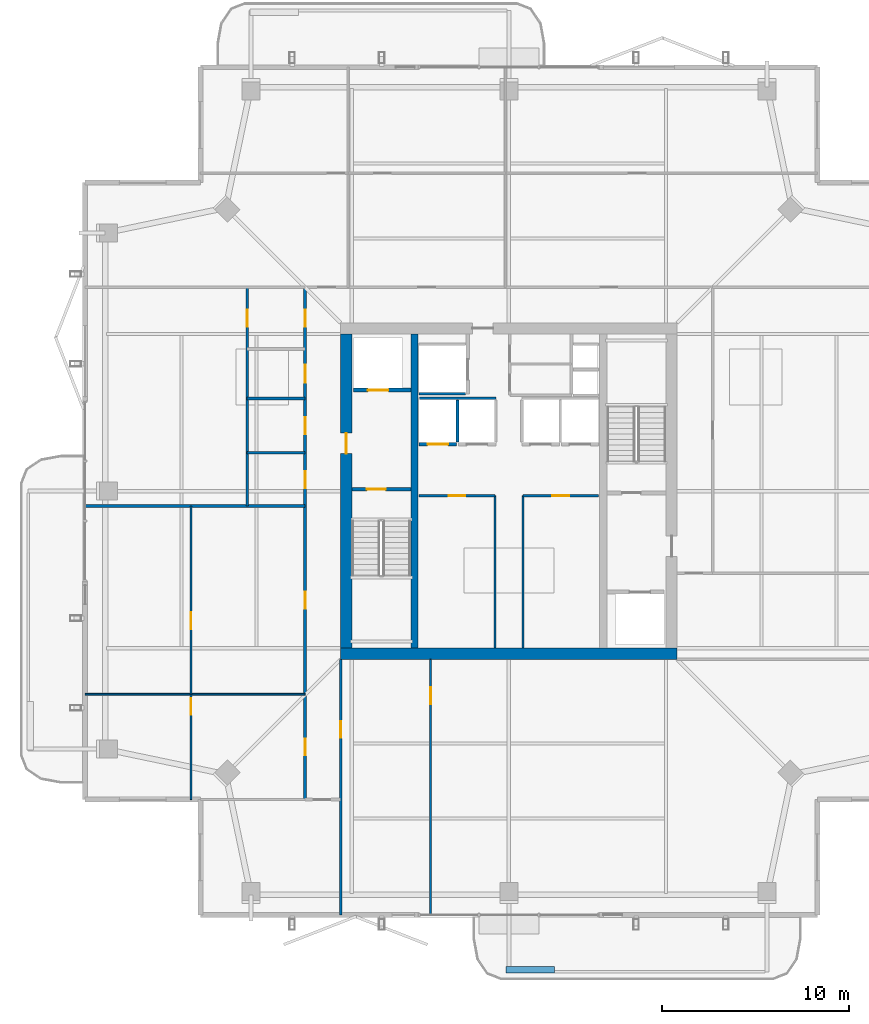
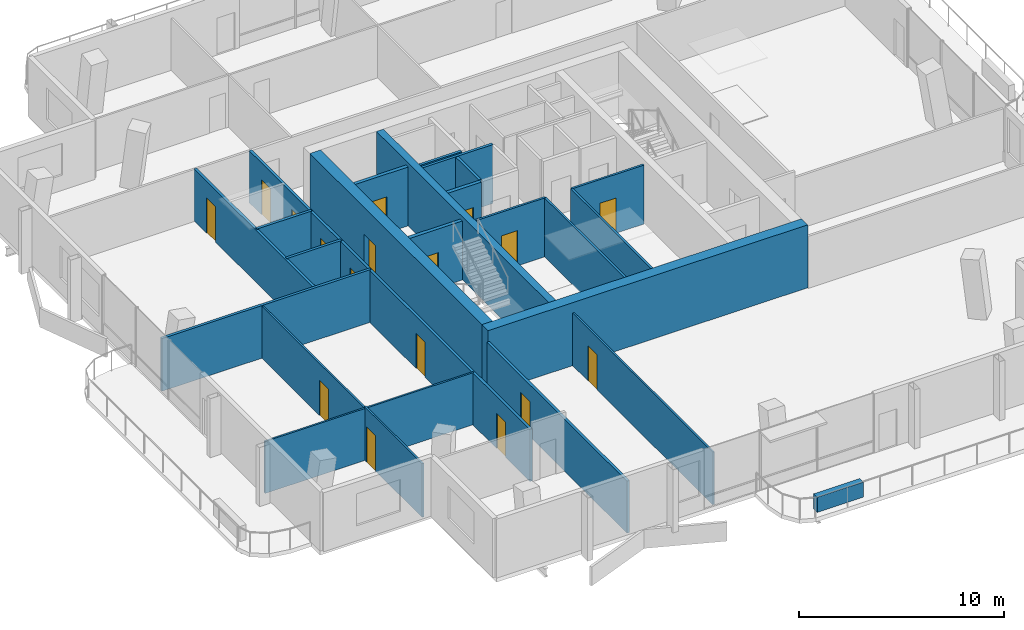
# One storey, part 14 of 20: 24 walls, 17 doors, 17 openings.
"""IFC4 building model written with IfcOpenShell, lengths in metres."""

from ifc_helpers import new_model, si_unit, direction, frame, frame_2d, origin, place, context, subcontext, project, spatial, rectangle, extrude, material, layer, layer_set, type_object, element, fill, save


model = new_model("IFC4")

# Units and contexts
model_context = context("Model", 3, precision=1e-05, world=origin(), true_north=direction((0.0, 1.0)))
body_context = subcontext(model_context, "Body", "Model", "MODEL_VIEW")
ifc_project = project(units=[si_unit("LENGTHUNIT", "METRE"), si_unit("AREAUNIT", "SQUARE_METRE"), si_unit("VOLUMEUNIT", "CUBIC_METRE"), si_unit("PLANEANGLEUNIT", "RADIAN"), si_unit("MASSUNIT", "GRAM", prefix="KILO")], contexts=[model_context])

# Site, building, storey
site_placement = place(None, origin())
site = spatial("IfcSite", under=ifc_project, at=site_placement, CompositionType="ELEMENT")
building_placement = place(site_placement, origin())
building = spatial("IfcBuilding", under=site, at=building_placement, Name="Belovzor Exchange Tower", CompositionType="ELEMENT")
storey_placement = place(building_placement, frame((0.0, 0.0, 329.25)))
storey = spatial("IfcBuildingStorey", under=building, at=storey_placement, Name="L82", CompositionType="ELEMENT", Elevation=329.25)

# Wall, opening, door
ifc_material_1 = material(Name="Acoustic Laminated Glass and Aluminium", Category="aluminium")
ifc_layer_1 = layer(ifc_material_1, 0.10009765625)
ifc_layer_set_1 = layer_set([ifc_layer_1], Name="Acoustic Laminated Glass and Aluminium")
wall_type_1 = type_object("IfcWallType", Name="Demountable Executive Glass Partition 100", PredefinedType="MOVABLE", material=ifc_layer_set_1)
wall_1_placement = place(storey_placement, frame((11.797119140625, 12.300048828125, 0.0), z_axis=(0.0, 0.0, 1.0), x_axis=(0.0, 1.0, 0.0)))
wall_1 = element("IfcWall", 1, at=wall_1_placement, inside=storey, type_object=wall_type_1, Name="W-M100 Partition Wall W-L82-WHDIV-0", PredefinedType="MOVABLE", context=body_context, shape_type="SweptSolid", body=[
    extrude(rectangle(XDim=5.6298828125, YDim=0.10009765625, at=frame_2d((2.81494140625, 0.0))), origin(), (0.0, 0.0, 1.0), 3.195068359375),
])
opening_1_placement = place(wall_1_placement, frame((4.530029296875, 0.0, 0.0)))
opening_1 = element("IfcOpeningElement", 2, at=opening_1_placement, cuts=wall_1, Name="Opening D-INT-090", PredefinedType="OPENING", context=body_context, shape_type="SweptSolid", body=[
    extrude(rectangle(XDim=0.89990234375, YDim=2.10009765625, at=frame_2d((0.449951171875, 1.050048828125))), frame((0.0, 0.06005859375, 0.0), z_axis=(0.0, -1.0, 0.0), x_axis=(1.0, 0.0, 0.0)), (0.0, 0.0, 1.0), 0.1201171875),
])
ifc_material_2 = material(Name="Veneered Hardwood Acoustic Leaf", Category="wood")
door_type_1 = type_object("IfcDoorType", Name="Trading Suite Acoustic Single Door 900x2100", OperationType="NOTDEFINED", PredefinedType="DOOR", material=ifc_material_2)
door_1_placement = place(opening_1_placement, origin())
door_1 = element("IfcDoor", 3, at=door_1_placement, inside=storey, type_object=door_type_1, Name="D-INT-090 Trading Suite Acoustic Single Door 900x2100", OperationType="SINGLE_SWING_LEFT", OverallHeight=2.10009765625, OverallWidth=0.89990234375, PredefinedType="DOOR", context=body_context, shape_type="SweptSolid", body=[
    extrude(rectangle(XDim=0.89990234375, YDim=2.10009765625, at=frame_2d((0.449951171875, 1.050048828125))), frame((0.0, 0.02490234375, 0.0), z_axis=(0.0, -1.0, 0.0), x_axis=(1.0, 0.0, 0.0)), (0.0, 0.0, 1.0), 0.050048828125),
])
fill(opening_1, door_1)

# Wall
wall_2_placement = place(storey_placement, frame((6.1298828125, 17.929931640625, 0.0), z_axis=(0.0, 0.0, 1.0), x_axis=(1.0, 0.0, 0.0)))
element("IfcWall", 4, at=wall_2_placement, inside=storey, type_object=wall_type_1, Name="W-M100 Partition Wall W-L82-WDIV-1", PredefinedType="MOVABLE", context=body_context, shape_type="SweptSolid", body=[
    extrude(rectangle(XDim=11.77001953125, YDim=0.10009765625, at=frame_2d((5.885009765625, 0.0))), origin(), (0.0, 0.0, 1.0), 3.094970703125),
])

# Wall, opening, door
wall_3_placement = place(storey_placement, frame((11.797119140625, 17.929931640625, 0.0), z_axis=(0.0, 0.0, 1.0), x_axis=(0.0, 1.0, 0.0)))
wall_3 = element("IfcWall", 5, at=wall_3_placement, inside=storey, type_object=wall_type_1, Name="W-M100 Partition Wall W-L82-WHDIV-1", PredefinedType="MOVABLE", context=body_context, shape_type="SweptSolid", body=[
    extrude(rectangle(XDim=10.070068359375, YDim=0.10009765625, at=frame_2d((5.03515625, 0.0))), origin(), (0.0, 0.0, 1.0), 3.094970703125),
])
opening_2_placement = place(wall_3_placement, frame((3.489013671875, 0.0, 0.0)))
opening_2 = element("IfcOpeningElement", 6, at=opening_2_placement, cuts=wall_3, Name="Opening D-INT-090", PredefinedType="OPENING", context=body_context, shape_type="SweptSolid", body=[
    extrude(rectangle(XDim=0.89990234375, YDim=2.10009765625, at=frame_2d((0.449951171875, 1.050048828125))), frame((0.0, 0.06005859375, 0.0), z_axis=(0.0, -1.0, 0.0), x_axis=(1.0, 0.0, 0.0)), (0.0, 0.0, 1.0), 0.1201171875),
])
door_2_placement = place(opening_2_placement, origin())
door_2 = element("IfcDoor", 7, at=door_2_placement, inside=storey, type_object=door_type_1, Name="D-INT-090 Trading Suite Acoustic Single Door 900x2100", OperationType="SINGLE_SWING_LEFT", OverallHeight=2.10009765625, OverallWidth=0.89990234375, PredefinedType="DOOR", context=body_context, shape_type="SweptSolid", body=[
    extrude(rectangle(XDim=0.89990234375, YDim=2.10009765625, at=frame_2d((0.449951171875, 1.050048828125))), frame((0.0, 0.02490234375, 0.0), z_axis=(0.0, -1.0, 0.0), x_axis=(1.0, 0.0, 0.0)), (0.0, 0.0, 1.0), 0.050048828125),
])
fill(opening_2, door_2)

wall_4_placement = place(storey_placement, frame((24.60791015625, 6.1298828125, 0.0), z_axis=(0.0, 0.0, 1.0), x_axis=(0.0, 1.0, 0.0)))
wall_4 = element("IfcWall", 8, at=wall_4_placement, inside=storey, type_object=wall_type_1, Name="W-M100 Partition Wall W-L82-SDIV-1", PredefinedType="MOVABLE", context=body_context, shape_type="SweptSolid", body=[
    extrude(rectangle(XDim=13.670166015625, YDim=0.10009765625, at=frame_2d((6.8349609375, 0.0))), origin(), (0.0, 0.0, 1.0), 3.135009765625),
])
opening_3_placement = place(wall_4_placement, frame((11.27001953125, 0.0, 0.0)))
opening_3 = element("IfcOpeningElement", 9, at=opening_3_placement, cuts=wall_4, Name="Opening D-INT-090", PredefinedType="OPENING", context=body_context, shape_type="SweptSolid", body=[
    extrude(rectangle(XDim=0.89990234375, YDim=2.10009765625, at=frame_2d((0.449951171875, 1.050048828125))), frame((0.0, 0.06005859375, 0.0), z_axis=(0.0, -1.0, 0.0), x_axis=(1.0, 0.0, 0.0)), (0.0, 0.0, 1.0), 0.1201171875),
])
door_3_placement = place(opening_3_placement, origin())
door_3 = element("IfcDoor", 10, at=door_3_placement, inside=storey, type_object=door_type_1, Name="D-INT-090 Trading Suite Acoustic Single Door 900x2100", OperationType="SINGLE_SWING_LEFT", OverallHeight=2.10009765625, OverallWidth=0.89990234375, PredefinedType="DOOR", context=body_context, shape_type="SweptSolid", body=[
    extrude(rectangle(XDim=0.89990234375, YDim=2.10009765625, at=frame_2d((0.449951171875, 1.050048828125))), frame((0.0, 0.02490234375, 0.0), z_axis=(0.0, -1.0, 0.0), x_axis=(1.0, 0.0, 0.0)), (0.0, 0.0, 1.0), 0.050048828125),
])
fill(opening_3, door_3)

ifc_material_3 = material(Name="Fire-Rated Plasterboard on Galvanised Studs", Category="gypsum")
ifc_layer_2 = layer(ifc_material_3, 0.1201171875)
ifc_layer_set_2 = layer_set([ifc_layer_2], Name="Fire-Rated Plasterboard on Galvanised Studs")
wall_type_2 = type_object("IfcWallType", Name="Fire-Rated Double-Stud Partition Wall 120", PredefinedType="PARTITIONING", material=ifc_layer_set_2)
wall_5_placement = place(storey_placement, frame((24.0, 28.550048828125, 0.0), z_axis=(0.0, 0.0, 1.0), x_axis=(1.0, 0.0, 0.0)))
wall_5 = element("IfcWall", 11, at=wall_5_placement, inside=storey, type_object=wall_type_2, Name="W-P120F Partition Wall W-CRWB-L82-N", PredefinedType="PARTITIONING", context=body_context, shape_type="SweptSolid", body=[
    extrude(rectangle(XDim=4.050048828125, YDim=0.1201171875, at=frame_2d((2.02490234375, 0.0))), origin(), (0.0, 0.0, 1.0), 3.510009765625),
])
opening_4_placement = place(wall_5_placement, frame((1.574951171875, 0.0, 0.0)))
opening_4 = element("IfcOpeningElement", 12, at=opening_4_placement, cuts=wall_5, Name="Opening D-FD60-090", PredefinedType="OPENING", context=body_context, shape_type="SweptSolid", body=[
    extrude(rectangle(XDim=0.89990234375, YDim=2.10009765625, at=frame_2d((0.449951171875, 1.050048828125))), frame((0.0, 0.070068359375, 0.0), z_axis=(0.0, -1.0, 0.0), x_axis=(1.0, 0.0, 0.0)), (0.0, 0.0, 1.0), 0.14013671875),
])
ifc_material_4 = material(Name="Acoustic Timber Fire Leaf", Category="wood")
door_type_2 = type_object("IfcDoorType", Name="Core Service & Restroom Fire Door 900x2100", OperationType="NOTDEFINED", PredefinedType="DOOR", material=ifc_material_4)
door_4_placement = place(opening_4_placement, origin())
door_4 = element("IfcDoor", 13, at=door_4_placement, inside=storey, type_object=door_type_2, Name="D-FD60-090 Core Service & Restroom Fire Door 900x2100", OperationType="SINGLE_SWING_LEFT", OverallHeight=2.10009765625, OverallWidth=0.89990234375, PredefinedType="DOOR", context=body_context, shape_type="SweptSolid", body=[
    extrude(rectangle(XDim=0.89990234375, YDim=2.10009765625, at=frame_2d((0.449951171875, 1.050048828125))), frame((0.0, 0.02490234375, 0.0), z_axis=(0.0, -1.0, 0.0), x_axis=(1.0, 0.0, 0.0)), (0.0, 0.0, 1.0), 0.050048828125),
])
fill(opening_4, door_4)

# Wall
wall_6_placement = place(storey_placement, frame((28.050048828125, 20.39990234375, 0.0), z_axis=(0.0, 0.0, 1.0), x_axis=(0.0, 1.0, 0.0)))
element("IfcWall", 14, at=wall_6_placement, inside=storey, type_object=wall_type_2, Name="W-P120F Partition Wall W-CRWB-L82-E", PredefinedType="PARTITIONING", context=body_context, shape_type="SweptSolid", body=[
    extrude(rectangle(XDim=8.150146484375, YDim=0.1201171875, at=frame_2d((4.0751953125, 0.0))), origin(), (0.0, 0.0, 1.0), 3.510009765625),
])

# Wall, opening, door
wall_7_placement = place(storey_placement, frame((29.550048828125, 28.550048828125, 0.0), z_axis=(0.0, 0.0, 1.0), x_axis=(1.0, 0.0, 0.0)))
wall_7 = element("IfcWall", 15, at=wall_7_placement, inside=storey, type_object=wall_type_2, Name="W-P120F Partition Wall W-CREB-L82-N", PredefinedType="PARTITIONING", context=body_context, shape_type="SweptSolid", body=[
    extrude(rectangle(XDim=4.050048828125, YDim=0.1201171875, at=frame_2d((2.02490234375, 0.0))), origin(), (0.0, 0.0, 1.0), 3.510009765625),
])
opening_5_placement = place(wall_7_placement, frame((1.574951171875, 0.0, 0.0)))
opening_5 = element("IfcOpeningElement", 16, at=opening_5_placement, cuts=wall_7, Name="Opening D-FD60-090", PredefinedType="OPENING", context=body_context, shape_type="SweptSolid", body=[
    extrude(rectangle(XDim=0.89990234375, YDim=2.10009765625, at=frame_2d((0.449951171875, 1.050048828125))), frame((0.0, 0.070068359375, 0.0), z_axis=(0.0, -1.0, 0.0), x_axis=(1.0, 0.0, 0.0)), (0.0, 0.0, 1.0), 0.14013671875),
])
door_5_placement = place(opening_5_placement, origin())
door_5 = element("IfcDoor", 17, at=door_5_placement, inside=storey, type_object=door_type_2, Name="D-FD60-090 Core Service & Restroom Fire Door 900x2100", OperationType="SINGLE_SWING_RIGHT", OverallHeight=2.10009765625, OverallWidth=0.89990234375, PredefinedType="DOOR", context=body_context, shape_type="SweptSolid", body=[
    extrude(rectangle(XDim=0.89990234375, YDim=2.10009765625, at=frame_2d((0.449951171875, 1.050048828125))), frame((0.0, 0.02490234375, 0.0), z_axis=(0.0, -1.0, 0.0), x_axis=(1.0, 0.0, 0.0)), (0.0, 0.0, 1.0), 0.050048828125),
])
fill(opening_5, door_5)

# Wall
wall_8_placement = place(storey_placement, frame((29.550048828125, 20.39990234375, 0.0), z_axis=(0.0, 0.0, 1.0), x_axis=(0.0, 1.0, 0.0)))
element("IfcWall", 18, at=wall_8_placement, inside=storey, type_object=wall_type_2, Name="W-P120F Partition Wall W-CREB-L82-W", PredefinedType="PARTITIONING", context=body_context, shape_type="SweptSolid", body=[
    extrude(rectangle(XDim=8.150146484375, YDim=0.1201171875, at=frame_2d((4.0751953125, 0.0))), origin(), (0.0, 0.0, 1.0), 3.510009765625),
])

# Wall, opening, door
ifc_material_5 = material(Name="Fire-Rated Gypsum Block and Mineral Wool", Category="gypsum")
ifc_layer_3 = layer(ifc_material_5, 0.14990234375)
ifc_layer_set_3 = layer_set([ifc_layer_3], Name="Fire-Rated Gypsum Block and Mineral Wool")
wall_type_3 = type_object("IfcWallType", Name="Fire-Rated Gypsum Block Corridor Wall 150", PredefinedType="PARTITIONING", material=ifc_layer_set_3)
wall_9_placement = place(storey_placement, frame((14.800048828125, 28.0, 0.0), z_axis=(0.0, 0.0, 1.0), x_axis=(0.0, 1.0, 0.0)))
wall_9 = element("IfcWall", 19, at=wall_9_placement, inside=storey, type_object=wall_type_3, Name="W-P150 Partition Wall W-L82-WCW", PredefinedType="PARTITIONING", context=body_context, shape_type="SweptSolid", body=[
    extrude(rectangle(XDim=11.699951171875, YDim=0.14990234375, at=frame_2d((5.85009765625, 0.0))), origin(), (0.0, 0.0, 1.0), 3.094970703125),
])
opening_6_placement = place(wall_9_placement, frame((9.60009765625, 0.0, 0.0)))
opening_6 = element("IfcOpeningElement", 20, at=opening_6_placement, cuts=wall_9, Name="Opening D-INT-090", PredefinedType="OPENING", context=body_context, shape_type="SweptSolid", body=[
    extrude(rectangle(XDim=0.89990234375, YDim=2.10009765625, at=frame_2d((0.449951171875, 1.050048828125))), frame((0.0, 0.0849609375, 0.0), z_axis=(0.0, -1.0, 0.0), x_axis=(1.0, 0.0, 0.0)), (0.0, 0.0, 1.0), 0.169921875),
])
door_6_placement = place(opening_6_placement, origin())
door_6 = element("IfcDoor", 21, at=door_6_placement, inside=storey, type_object=door_type_1, Name="D-INT-090 Trading Suite Acoustic Single Door 900x2100", OperationType="SINGLE_SWING_LEFT", OverallHeight=2.10009765625, OverallWidth=0.89990234375, PredefinedType="DOOR", context=body_context, shape_type="SweptSolid", body=[
    extrude(rectangle(XDim=0.89990234375, YDim=2.10009765625, at=frame_2d((0.449951171875, 1.050048828125))), frame((0.0, 0.02490234375, 0.0), z_axis=(0.0, -1.0, 0.0), x_axis=(1.0, 0.0, 0.0)), (0.0, 0.0, 1.0), 0.050048828125),
])
fill(opening_6, door_6)

# Walls
wall_10_placement = place(storey_placement, frame((6.1298828125, 28.0, 0.0), z_axis=(0.0, 0.0, 1.0), x_axis=(1.0, 0.0, 0.0)))
element("IfcWall", 22, at=wall_10_placement, inside=storey, type_object=wall_type_3, Name="W-P150 Partition Wall W-L82-WCS", PredefinedType="PARTITIONING", context=body_context, shape_type="SweptSolid", body=[
    extrude(rectangle(XDim=11.77001953125, YDim=0.14990234375, at=frame_2d((5.885009765625, 0.0))), origin(), (0.0, 0.0, 1.0), 3.135009765625),
])
for number, where, z_axis, x_axis, name in (
    (23, (14.800048828125, 30.85009765625, 0.0), (0.0, 0.0, 1.0), (1.0, 0.0, 0.0), "W-P150 Partition Wall W-L82-WCD1"),
    (24, (14.800048828125, 33.75, 0.0), (0.0, 0.0, 1.0), (1.0, 0.0, 0.0), "W-P150 Partition Wall W-L82-WCD2"),
):
    element("IfcWall", number, at=place(storey_placement, frame(where, z_axis=z_axis, x_axis=x_axis)), inside=storey, type_object=wall_type_3, Name=name, PredefinedType="PARTITIONING", context=body_context, shape_type="SweptSolid", body=[
        extrude(rectangle(XDim=3.099853515625, YDim=0.14990234375, at=frame_2d((1.5498046875, 0.0))), origin(), (0.0, 0.0, 1.0), 3.135009765625),
    ])

# Wall, opening, door
wall_11_placement = place(storey_placement, frame((19.800048828125, 6.1298828125, 0.0), z_axis=(0.0, 0.0, 1.0), x_axis=(0.0, 1.0, 0.0)))
wall_11 = element("IfcWall", 25, at=wall_11_placement, inside=storey, type_object=wall_type_3, Name="W-P150 Partition Wall W-L82-CW-E", PredefinedType="PARTITIONING", context=body_context, shape_type="SweptSolid", body=[
    extrude(rectangle(XDim=13.670166015625, YDim=0.14990234375, at=frame_2d((6.8349609375, 0.0))), origin(), (0.0, 0.0, 1.0), 3.094970703125),
])
opening_7_placement = place(wall_11_placement, frame((9.469970703125, 0.0, 0.0)))
opening_7 = element("IfcOpeningElement", 26, at=opening_7_placement, cuts=wall_11, Name="Opening D-FD60-090", PredefinedType="OPENING", context=body_context, shape_type="SweptSolid", body=[
    extrude(rectangle(XDim=0.89990234375, YDim=2.10009765625, at=frame_2d((0.449951171875, 1.050048828125))), frame((0.0, 0.0849609375, 0.0), z_axis=(0.0, -1.0, 0.0), x_axis=(1.0, 0.0, 0.0)), (0.0, 0.0, 1.0), 0.169921875),
])
door_7_placement = place(opening_7_placement, origin())
door_7 = element("IfcDoor", 27, at=door_7_placement, inside=storey, type_object=door_type_2, Name="D-FD60-090 Core Service & Restroom Fire Door 900x2100", OperationType="SINGLE_SWING_RIGHT", OverallHeight=2.10009765625, OverallWidth=0.89990234375, PredefinedType="DOOR", context=body_context, shape_type="SweptSolid", body=[
    extrude(rectangle(XDim=0.89990234375, YDim=2.10009765625, at=frame_2d((0.449951171875, 1.050048828125))), frame((0.0, 0.02490234375, 0.0), z_axis=(0.0, -1.0, 0.0), x_axis=(1.0, 0.0, 0.0)), (0.0, 0.0, 1.0), 0.050048828125),
])
fill(opening_7, door_7)

# Wall, openings, doors
wall_12_placement = place(storey_placement, frame((17.89990234375, 12.300048828125, 0.0), z_axis=(0.0, 0.0, 1.0), x_axis=(0.0, 1.0, 0.0)))
wall_12 = element("IfcWall", 28, at=wall_12_placement, inside=storey, type_object=wall_type_3, Name="W-P150 Partition Wall W-L82-CW", PredefinedType="PARTITIONING", context=body_context, shape_type="SweptSolid", body=[
    extrude(rectangle(XDim=27.39990234375, YDim=0.14990234375, at=frame_2d((13.699951171875, 0.0))), origin(), (0.0, 0.0, 1.0), 3.094970703125),
])
opening_8_placement = place(wall_12_placement, frame((2.364990234375, 0.0, 0.0)))
opening_8 = element("IfcOpeningElement", 29, at=opening_8_placement, cuts=wall_12, Name="Opening D-INT-090", PredefinedType="OPENING", context=body_context, shape_type="SweptSolid", body=[
    extrude(rectangle(XDim=0.89990234375, YDim=2.10009765625, at=frame_2d((0.449951171875, 1.050048828125))), frame((0.0, 0.0849609375, 0.0), z_axis=(0.0, -1.0, 0.0), x_axis=(1.0, 0.0, 0.0)), (0.0, 0.0, 1.0), 0.169921875),
])
opening_9_placement = place(wall_12_placement, frame((10.215087890625, 0.0, 0.0)))
opening_9 = element("IfcOpeningElement", 30, at=opening_9_placement, cuts=wall_12, Name="Opening D-INT-090", PredefinedType="OPENING", context=body_context, shape_type="SweptSolid", body=[
    extrude(rectangle(XDim=0.89990234375, YDim=2.10009765625, at=frame_2d((0.449951171875, 1.050048828125))), frame((0.0, 0.0849609375, 0.0), z_axis=(0.0, -1.0, 0.0), x_axis=(1.0, 0.0, 0.0)), (0.0, 0.0, 1.0), 0.169921875),
])
opening_10_placement = place(wall_12_placement, frame((16.64990234375, 0.0, 0.0)))
opening_10 = element("IfcOpeningElement", 31, at=opening_10_placement, cuts=wall_12, Name="Opening D-FD60-090", PredefinedType="OPENING", context=body_context, shape_type="SweptSolid", body=[
    extrude(rectangle(XDim=0.89990234375, YDim=2.10009765625, at=frame_2d((0.449951171875, 1.050048828125))), frame((0.0, 0.0849609375, 0.0), z_axis=(0.0, -1.0, 0.0), x_axis=(1.0, 0.0, 0.0)), (0.0, 0.0, 1.0), 0.169921875),
])
opening_11_placement = place(wall_12_placement, frame((19.550048828125, 0.0, 0.0)))
opening_11 = element("IfcOpeningElement", 32, at=opening_11_placement, cuts=wall_12, Name="Opening D-FD60-090", PredefinedType="OPENING", context=body_context, shape_type="SweptSolid", body=[
    extrude(rectangle(XDim=0.89990234375, YDim=2.10009765625, at=frame_2d((0.449951171875, 1.050048828125))), frame((0.0, 0.0849609375, 0.0), z_axis=(0.0, -1.0, 0.0), x_axis=(1.0, 0.0, 0.0)), (0.0, 0.0, 1.0), 0.169921875),
])
opening_12_placement = place(wall_12_placement, frame((22.300048828125, 0.0, 0.0)))
opening_12 = element("IfcOpeningElement", 33, at=opening_12_placement, cuts=wall_12, Name="Opening D-FD60-095", PredefinedType="OPENING", context=body_context, shape_type="SweptSolid", body=[
    extrude(rectangle(XDim=0.949951171875, YDim=2.10009765625, at=frame_2d((0.47509765625, 1.050048828125))), frame((0.0, 0.0849609375, 0.0), z_axis=(0.0, -1.0, 0.0), x_axis=(1.0, 0.0, 0.0)), (0.0, 0.0, 1.0), 0.169921875),
])
opening_13_placement = place(wall_12_placement, frame((25.300048828125, 0.0, 0.0)))
opening_13 = element("IfcOpeningElement", 34, at=opening_13_placement, cuts=wall_12, Name="Opening D-FD60-090", PredefinedType="OPENING", context=body_context, shape_type="SweptSolid", body=[
    extrude(rectangle(XDim=0.89990234375, YDim=2.10009765625, at=frame_2d((0.449951171875, 1.050048828125))), frame((0.0, 0.0849609375, 0.0), z_axis=(0.0, -1.0, 0.0), x_axis=(1.0, 0.0, 0.0)), (0.0, 0.0, 1.0), 0.169921875),
])
ifc_material_6 = material(Name="Moisture-Resistant Timber Fire Leaf", Category="wood")
door_type_3 = type_object("IfcDoorType", Name="Accessible Restroom Wide Fire Door 950x2100", OperationType="NOTDEFINED", PredefinedType="DOOR", material=ifc_material_6)
door_8_placement = place(opening_12_placement, origin())
door_8 = element("IfcDoor", 35, at=door_8_placement, inside=storey, type_object=door_type_3, Name="D-FD60-095 Accessible Restroom Wide Fire Door 950x2100", OperationType="SINGLE_SWING_LEFT", OverallHeight=2.10009765625, OverallWidth=0.949951171875, PredefinedType="DOOR", context=body_context, shape_type="SweptSolid", body=[
    extrude(rectangle(XDim=0.949951171875, YDim=2.10009765625, at=frame_2d((0.47509765625, 1.050048828125))), frame((0.0, 0.02490234375, 0.0), z_axis=(0.0, -1.0, 0.0), x_axis=(1.0, 0.0, 0.0)), (0.0, 0.0, 1.0), 0.050048828125),
])
fill(opening_12, door_8)
door_9_placement = place(opening_10_placement, origin())
door_9 = element("IfcDoor", 36, at=door_9_placement, inside=storey, type_object=door_type_2, Name="D-FD60-090 Core Service & Restroom Fire Door 900x2100", OperationType="SINGLE_SWING_LEFT", OverallHeight=2.10009765625, OverallWidth=0.89990234375, PredefinedType="DOOR", context=body_context, shape_type="SweptSolid", body=[
    extrude(rectangle(XDim=0.89990234375, YDim=2.10009765625, at=frame_2d((0.449951171875, 1.050048828125))), frame((0.0, 0.02490234375, 0.0), z_axis=(0.0, -1.0, 0.0), x_axis=(1.0, 0.0, 0.0)), (0.0, 0.0, 1.0), 0.050048828125),
])
fill(opening_10, door_9)
door_10_placement = place(opening_11_placement, origin())
door_10 = element("IfcDoor", 37, at=door_10_placement, inside=storey, type_object=door_type_2, Name="D-FD60-090 Core Service & Restroom Fire Door 900x2100", OperationType="SINGLE_SWING_RIGHT", OverallHeight=2.10009765625, OverallWidth=0.89990234375, PredefinedType="DOOR", context=body_context, shape_type="SweptSolid", body=[
    extrude(rectangle(XDim=0.89990234375, YDim=2.10009765625, at=frame_2d((0.449951171875, 1.050048828125))), frame((0.0, 0.02490234375, 0.0), z_axis=(0.0, -1.0, 0.0), x_axis=(1.0, 0.0, 0.0)), (0.0, 0.0, 1.0), 0.050048828125),
])
fill(opening_11, door_10)
door_11_placement = place(opening_13_placement, origin())
door_11 = element("IfcDoor", 38, at=door_11_placement, inside=storey, type_object=door_type_2, Name="D-FD60-090 Core Service & Restroom Fire Door 900x2100", OperationType="SINGLE_SWING_LEFT", OverallHeight=2.10009765625, OverallWidth=0.89990234375, PredefinedType="DOOR", context=body_context, shape_type="SweptSolid", body=[
    extrude(rectangle(XDim=0.89990234375, YDim=2.10009765625, at=frame_2d((0.449951171875, 1.050048828125))), frame((0.0, 0.02490234375, 0.0), z_axis=(0.0, -1.0, 0.0), x_axis=(1.0, 0.0, 0.0)), (0.0, 0.0, 1.0), 0.050048828125),
])
fill(opening_13, door_11)
door_12_placement = place(opening_8_placement, origin())
door_12 = element("IfcDoor", 39, at=door_12_placement, inside=storey, type_object=door_type_1, Name="D-INT-090 Trading Suite Acoustic Single Door 900x2100", OperationType="SINGLE_SWING_LEFT", OverallHeight=2.10009765625, OverallWidth=0.89990234375, PredefinedType="DOOR", context=body_context, shape_type="SweptSolid", body=[
    extrude(rectangle(XDim=0.89990234375, YDim=2.10009765625, at=frame_2d((0.449951171875, 1.050048828125))), frame((0.0, 0.02490234375, 0.0), z_axis=(0.0, -1.0, 0.0), x_axis=(1.0, 0.0, 0.0)), (0.0, 0.0, 1.0), 0.050048828125),
])
fill(opening_8, door_12)
door_13_placement = place(opening_9_placement, origin())
door_13 = element("IfcDoor", 40, at=door_13_placement, inside=storey, type_object=door_type_1, Name="D-INT-090 Trading Suite Acoustic Single Door 900x2100", OperationType="SINGLE_SWING_RIGHT", OverallHeight=2.10009765625, OverallWidth=0.89990234375, PredefinedType="DOOR", context=body_context, shape_type="SweptSolid", body=[
    extrude(rectangle(XDim=0.89990234375, YDim=2.10009765625, at=frame_2d((0.449951171875, 1.050048828125))), frame((0.0, 0.02490234375, 0.0), z_axis=(0.0, -1.0, 0.0), x_axis=(1.0, 0.0, 0.0)), (0.0, 0.0, 1.0), 0.050048828125),
])
fill(opening_9, door_13)

# Walls
ifc_material_7 = material(Name="Precast concrete C40/50", Category="concrete")
ifc_layer_4 = layer(ifc_material_7, 0.35009765625)
ifc_layer_set_4 = layer_set([ifc_layer_4], Name="Precast concrete C40/50")
wall_type_4 = type_object("IfcWallType", Name="Precast Concrete Structural Tree Planter Trough 350", PredefinedType="PARAPET", material=ifc_layer_set_4)
wall_13_placement = place(storey_placement, frame((28.64990234375, 3.199951171875, 0.0), z_axis=(0.0, 0.0, 1.0), x_axis=(1.0, 0.0, 0.0)))
element("IfcWall", 41, at=wall_13_placement, inside=storey, type_object=wall_type_4, Name="PT-350 Precast Concrete Structural Tree Planter Trough 350 L82", PredefinedType="PARAPET", context=body_context, shape_type="SweptSolid", body=[
    extrude(rectangle(XDim=2.60009765625, YDim=0.35009765625, at=frame_2d((1.300048828125, 0.0))), origin(), (0.0, 0.0, 1.0), 0.89990234375),
])
ifc_material_8 = material(Name="Concrete C50/60", Category="concrete")
ifc_layer_5 = layer(ifc_material_8, 0.39990234375)
ifc_layer_set_5 = layer_set([ifc_layer_5], Name="Concrete C50/60")
wall_type_5 = type_object("IfcWallType", Name="Reinforced Concrete Core Internal Web Wall 400", PredefinedType="SHEAR", material=ifc_layer_set_5)
wall_14_placement = place(storey_placement, frame((23.75, 20.39990234375, 0.0), z_axis=(0.0, 0.0, 1.0), x_axis=(0.0, 1.0, 0.0)))
element("IfcWall", 42, at=wall_14_placement, inside=storey, type_object=wall_type_5, Name="CW-W040 Core Internal Web Wall L82 WL", PredefinedType="SHEAR", context=body_context, shape_type="SweptSolid", body=[
    extrude(rectangle(XDim=16.800048828125, YDim=0.39990234375, at=frame_2d((8.39990234375, 0.0))), origin(), (0.0, 0.0, 1.0), 3.75),
])
ifc_material_9 = material(Name="Concrete C50/60", Category="concrete")
ifc_layer_6 = layer(ifc_material_9, 0.14990234375)
ifc_layer_set_6 = layer_set([ifc_layer_6], Name="Concrete C50/60")
wall_type_6 = type_object("IfcWallType", Name="Reinforced Concrete Core Riser Shear Wall 150", PredefinedType="SHEAR", material=ifc_layer_set_6)
wall_15_placement = place(storey_placement, frame((24.0, 34.0, 0.0), z_axis=(0.0, 0.0, 1.0), x_axis=(1.0, 0.0, 0.0)))
element("IfcWall", 43, at=wall_15_placement, inside=storey, type_object=wall_type_6, Name="W-C150S Core Shaft Wall W-SH-L82-SL-01S", PredefinedType="SHEAR", context=body_context, shape_type="SweptSolid", body=[
    extrude(rectangle(XDim=2.47998046875, YDim=0.14990234375, at=frame_2d((1.239990234375, 0.0))), origin(), (0.0, 0.0, 1.0), 3.510009765625),
])
wall_16_placement = place(storey_placement, frame((24.02001953125, 33.760009765625, 0.0), z_axis=(0.0, 0.0, 1.0), x_axis=(1.0, 0.0, 0.0)))
element("IfcWall", 44, at=wall_16_placement, inside=storey, type_object=wall_type_6, Name="W-C150S Core Shaft Wall W-SHB-L82-PLH-NW", PredefinedType="SHEAR", context=body_context, shape_type="SweptSolid", body=[
    extrude(rectangle(XDim=4.080078125, YDim=0.14990234375, at=frame_2d((2.0400390625, 0.0))), origin(), (0.0, 0.0, 1.0), 3.510009765625),
])
wall_17_placement = place(storey_placement, frame((26.050048828125, 31.419921875, 0.0), z_axis=(0.0, 0.0, 1.0), x_axis=(0.0, 1.0, 0.0)))
element("IfcWall", 45, at=wall_17_placement, inside=storey, type_object=wall_type_6, Name="W-C150S Core Shaft Wall W-SHD-L82-PLH-1", PredefinedType="SHEAR", context=body_context, shape_type="SweptSolid", body=[
    extrude(rectangle(XDim=2.239990234375, YDim=0.14990234375, at=frame_2d((1.1201171875, 0.0))), origin(), (0.0, 0.0, 1.0), 3.510009765625),
])

# Wall, opening, door
ifc_material_10 = material(Name="Concrete C50/60", Category="concrete")
ifc_layer_7 = layer(ifc_material_10, 0.199951171875)
ifc_layer_set_7 = layer_set([ifc_layer_7], Name="Concrete C50/60")
wall_type_7 = type_object("IfcWallType", Name="Reinforced Concrete Core Shaft Shear Wall 200", PredefinedType="SHEAR", material=ifc_layer_set_7)
wall_18_placement = place(storey_placement, frame((20.39990234375, 28.89990234375, 0.0), z_axis=(0.0, 0.0, 1.0), x_axis=(1.0, 0.0, 0.0)))
wall_18 = element("IfcWall", 46, at=wall_18_placement, inside=storey, type_object=wall_type_7, Name="W-C200S Core Shaft Wall W-CORE-L82-FFLW1", PredefinedType="SHEAR", context=body_context, shape_type="SweptSolid", body=[
    extrude(rectangle(XDim=3.150146484375, YDim=0.199951171875, at=frame_2d((1.5751953125, 0.0))), origin(), (0.0, 0.0, 1.0), 3.510009765625),
])
opening_14_placement = place(wall_18_placement, frame((0.800048828125, 0.0, 0.0)))
opening_14 = element("IfcOpeningElement", 47, at=opening_14_placement, cuts=wall_18, Name="Opening D-FD90-100", PredefinedType="OPENING", context=body_context, shape_type="SweptSolid", body=[
    extrude(rectangle(XDim=1.0, YDim=2.10009765625, at=frame_2d((0.5, 1.050048828125))), frame((0.0, 0.10986328125, 0.0), z_axis=(0.0, -1.0, 0.0), x_axis=(1.0, 0.0, 0.0)), (0.0, 0.0, 1.0), 0.219970703125),
])
ifc_material_11 = material(Name="Fire-Rated Galvanised Steel Leaf", Category="steel")
door_type_4 = type_object("IfcDoorType", Name="Protected Stairwell Single Fire Door 1000x2100", OperationType="NOTDEFINED", PredefinedType="DOOR", material=ifc_material_11)
door_14_placement = place(opening_14_placement, origin())
door_14 = element("IfcDoor", 48, at=door_14_placement, inside=storey, type_object=door_type_4, Name="D-FD90-100 Protected Stairwell Single Fire Door 1000x2100", OperationType="SINGLE_SWING_RIGHT", OverallHeight=2.10009765625, OverallWidth=1.0, PredefinedType="DOOR", context=body_context, shape_type="SweptSolid", body=[
    extrude(rectangle(XDim=1.0, YDim=2.10009765625, at=frame_2d((0.5, 1.050048828125))), frame((0.0, 0.02490234375, 0.0), z_axis=(0.0, -1.0, 0.0), x_axis=(1.0, 0.0, 0.0)), (0.0, 0.0, 1.0), 0.050048828125),
])
fill(opening_14, door_14)

wall_19_placement = place(storey_placement, frame((20.5, 34.199951171875, 0.0), z_axis=(0.0, 0.0, 1.0), x_axis=(1.0, 0.0, 0.0)))
wall_19 = element("IfcWall", 49, at=wall_19_placement, inside=storey, type_object=wall_type_7, Name="W-C200S Core Shaft Wall W-SH-L82-FFL-01", PredefinedType="SHEAR", context=body_context, shape_type="SweptSolid", body=[
    extrude(rectangle(XDim=3.050048828125, YDim=0.199951171875, at=frame_2d((1.52490234375, 0.0))), origin(), (0.0, 0.0, 1.0), 3.510009765625),
])
opening_15_placement = place(wall_19_placement, frame((0.75, 0.0, 0.0)))
opening_15 = element("IfcOpeningElement", 50, at=opening_15_placement, cuts=wall_19, Name="Opening LD-110", PredefinedType="OPENING", context=body_context, shape_type="SweptSolid", body=[
    extrude(rectangle(XDim=1.10009765625, YDim=2.14990234375, at=frame_2d((0.550048828125, 1.074951171875))), frame((0.0, 0.10986328125, 0.0), z_axis=(0.0, -1.0, 0.0), x_axis=(1.0, 0.0, 0.0)), (0.0, 0.0, 1.0), 0.219970703125),
])
ifc_material_12 = material(Name="Stainless Steel Grade 304", Category="steel")
door_type_5 = type_object("IfcDoorType", Name="Automated Stainless Steel Lift Landing Door 1100x2150", OperationType="SLIDING_TO_RIGHT", PredefinedType="DOOR", material=ifc_material_12)
door_15_placement = place(opening_15_placement, origin())
door_15 = element("IfcDoor", 51, at=door_15_placement, inside=storey, type_object=door_type_5, Name="LD-110 Automated Stainless Steel Lift Landing Door 1100x2150", OperationType="SLIDING_TO_RIGHT", OverallHeight=2.14990234375, OverallWidth=1.10009765625, PredefinedType="DOOR", context=body_context, shape_type="SweptSolid", body=[
    extrude(rectangle(XDim=1.10009765625, YDim=2.14990234375, at=frame_2d((0.550048828125, 1.074951171875))), frame((0.0, 0.02490234375, 0.0), z_axis=(0.0, -1.0, 0.0), x_axis=(1.0, 0.0, 0.0)), (0.0, 0.0, 1.0), 0.050048828125),
])
fill(opening_15, door_15)

wall_20_placement = place(storey_placement, frame((24.0, 31.300048828125, 0.0), z_axis=(0.0, 0.0, 1.0), x_axis=(1.0, 0.0, 0.0)))
wall_20 = element("IfcWall", 52, at=wall_20_placement, inside=storey, type_object=wall_type_7, Name="W-C200S Core Shaft Wall W-SH-L82-PL-H1", PredefinedType="SHEAR", context=body_context, shape_type="SweptSolid", body=[
    extrude(rectangle(XDim=2.0, YDim=0.199951171875, at=frame_2d((1.0, 0.0))), origin(), (0.0, 0.0, 1.0), 3.510009765625),
])
opening_16_placement = place(wall_20_placement, frame((0.449951171875, 0.0, 0.0)))
opening_16 = element("IfcOpeningElement", 53, at=opening_16_placement, cuts=wall_20, Name="Opening LD-110", PredefinedType="OPENING", context=body_context, shape_type="SweptSolid", body=[
    extrude(rectangle(XDim=1.10009765625, YDim=2.14990234375, at=frame_2d((0.550048828125, 1.074951171875))), frame((0.0, 0.10986328125, 0.0), z_axis=(0.0, -1.0, 0.0), x_axis=(1.0, 0.0, 0.0)), (0.0, 0.0, 1.0), 0.219970703125),
])
door_16_placement = place(opening_16_placement, origin())
door_16 = element("IfcDoor", 54, at=door_16_placement, inside=storey, type_object=door_type_5, Name="LD-110 Automated Stainless Steel Lift Landing Door 1100x2150", OperationType="SLIDING_TO_RIGHT", OverallHeight=2.14990234375, OverallWidth=1.10009765625, PredefinedType="DOOR", context=body_context, shape_type="SweptSolid", body=[
    extrude(rectangle(XDim=1.10009765625, YDim=2.14990234375, at=frame_2d((0.550048828125, 1.074951171875))), frame((0.0, 0.02490234375, 0.0), z_axis=(0.0, -1.0, 0.0), x_axis=(1.0, 0.0, 0.0)), (0.0, 0.0, 1.0), 0.050048828125),
])
fill(opening_16, door_16)

# Wall
ifc_material_13 = material(Name="Concrete C50/60", Category="concrete")
ifc_layer_8 = layer(ifc_material_13, 0.60009765625)
ifc_layer_set_8 = layer_set([ifc_layer_8], Name="Concrete C50/60")
wall_type_8 = type_object("IfcWallType", Name="Reinforced Concrete Core Shear Wall 600", PredefinedType="SHEAR", material=ifc_layer_set_8)
wall_21_placement = place(storey_placement, frame((19.800048828125, 20.10009765625, 0.0), z_axis=(0.0, 0.0, 1.0), x_axis=(1.0, 0.0, 0.0)))
element("IfcWall", 55, at=wall_21_placement, inside=storey, type_object=wall_type_8, Name="CW-S060 Core Shear Wall L82 S", PredefinedType="SHEAR", context=body_context, shape_type="SweptSolid", body=[
    extrude(rectangle(XDim=18.0, YDim=0.60009765625, at=frame_2d((9.0, 0.0))), origin(), (0.0, 0.0, 1.0), 3.75),
])

# Wall, opening, door
wall_22_placement = place(storey_placement, frame((20.10009765625, 20.39990234375, 0.0), z_axis=(0.0, 0.0, 1.0), x_axis=(0.0, 1.0, 0.0)))
wall_22 = element("IfcWall", 56, at=wall_22_placement, inside=storey, type_object=wall_type_8, Name="CW-S060 Core Shear Wall L82 W", PredefinedType="SHEAR", context=body_context, shape_type="SweptSolid", body=[
    extrude(rectangle(XDim=16.800048828125, YDim=0.60009765625, at=frame_2d((8.39990234375, 0.0))), origin(), (0.0, 0.0, 1.0), 3.75),
])
opening_17_placement = place(wall_22_placement, frame((10.39990234375, 0.0, 0.0)))
opening_17 = element("IfcOpeningElement", 57, at=opening_17_placement, cuts=wall_22, Name="Opening D-FD90-110", PredefinedType="OPENING", context=body_context, shape_type="SweptSolid", body=[
    extrude(rectangle(XDim=1.10009765625, YDim=2.14990234375, at=frame_2d((0.550048828125, 1.074951171875))), frame((0.0, 0.31005859375, 0.0), z_axis=(0.0, -1.0, 0.0), x_axis=(1.0, 0.0, 0.0)), (0.0, 0.0, 1.0), 0.6201171875),
])
ifc_material_14 = material(Name="Fire-Rated Galvanised Steel Leaf", Category="steel")
door_type_6 = type_object("IfcDoorType", Name="Protected Escape Vestibule Fire Door 1100x2150", OperationType="NOTDEFINED", PredefinedType="DOOR", material=ifc_material_14)
door_17_placement = place(opening_17_placement, origin())
door_17 = element("IfcDoor", 58, at=door_17_placement, inside=storey, type_object=door_type_6, Name="D-FD90-110 Protected Escape Vestibule Fire Door 1100x2150", OperationType="SINGLE_SWING_LEFT", OverallHeight=2.14990234375, OverallWidth=1.10009765625, PredefinedType="DOOR", context=body_context, shape_type="SweptSolid", body=[
    extrude(rectangle(XDim=1.10009765625, YDim=2.14990234375, at=frame_2d((0.550048828125, 1.074951171875))), frame((0.0, 0.02490234375, 0.0), z_axis=(0.0, -1.0, 0.0), x_axis=(1.0, 0.0, 0.0)), (0.0, 0.0, 1.0), 0.050048828125),
])
fill(opening_17, door_17)

save(model, "model.ifc")
